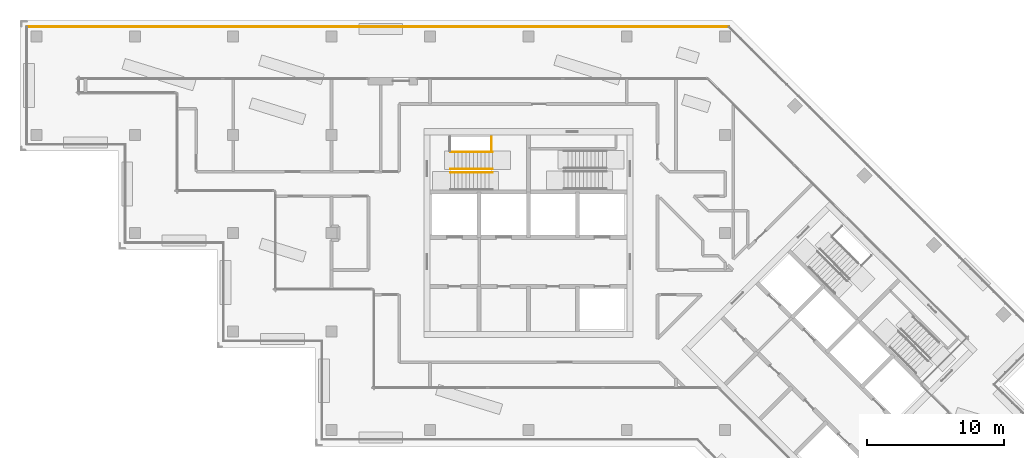
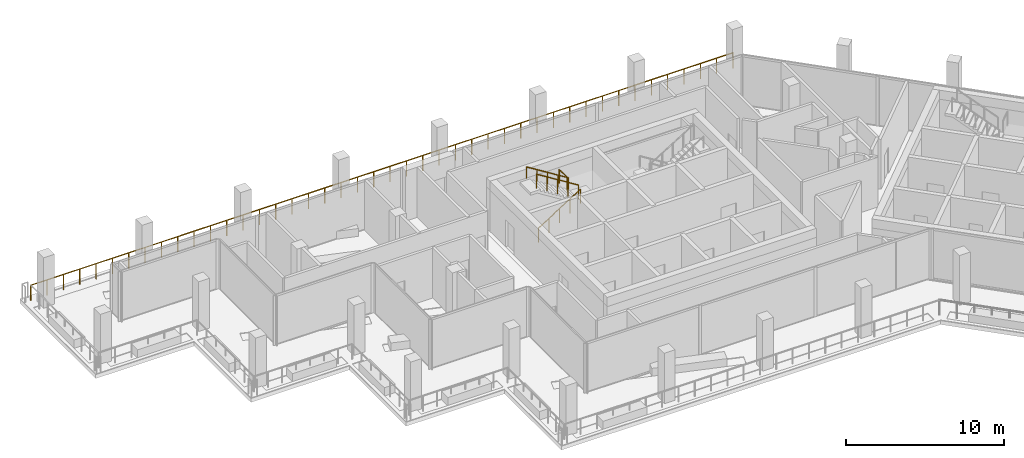
# One storey, part 18 of 20: 5 railings.
"""IFC4 building model written with IfcOpenShell, lengths in metres."""

from ifc_helpers import new_model, si_unit, direction, frame, origin, origin_2d, place, context, subcontext, project, spatial, circle, extrude, material, type_object, element, save


model = new_model("IFC4")

# Units and contexts
model_context = context("Model", 3, precision=1e-05, world=origin(), true_north=direction((0.0, 1.0)))
body_context = subcontext(model_context, "Body", "Model", "MODEL_VIEW")
ifc_project = project(units=[si_unit("LENGTHUNIT", "METRE"), si_unit("AREAUNIT", "SQUARE_METRE"), si_unit("VOLUMEUNIT", "CUBIC_METRE"), si_unit("PLANEANGLEUNIT", "RADIAN"), si_unit("MASSUNIT", "GRAM", prefix="KILO")], contexts=[model_context])

# Site, building, storey
site_placement = place(None, origin())
site = spatial("IfcSite", under=ifc_project, at=site_placement, CompositionType="ELEMENT")
building_placement = place(site_placement, origin())
building = spatial("IfcBuilding", under=site, at=building_placement, Name="Windrow Commons", CompositionType="ELEMENT")
storey_placement = place(building_placement, frame((0.0, 0.0, 239.6)))
storey = spatial("IfcBuildingStorey", under=building, at=storey_placement, Name="L65", CompositionType="ELEMENT", Elevation=239.6)

# Railings
ifc_material_1 = material(Name="Steel S355", Category="steel")
railing_type_1 = type_object("IfcRailingType", Name="Core stair guard 1100", PredefinedType="GUARDRAIL", material=ifc_material_1)
railing_1_placement = place(storey_placement, frame((59.1, 62.05, 0.175)))
element("IfcRailing", 1, at=railing_1_placement, inside=storey, type_object=railing_type_1, Name="L65 ST-A1 stair guard 1", PredefinedType="GUARDRAIL", context=body_context, shape_type="SweptSolid", body=[
    extrude(circle(Radius=0.024, at=origin_2d()), frame((0.0, 0.0, 1.076), z_axis=(0.847998304, 0.0, 0.52999894), x_axis=(0.0, 1.0, 0.0)), (0.0, 0.0, 1.0), 3.6321),
    extrude(circle(Radius=0.021, at=origin_2d()), origin(), (0.0, 0.0, 1.0), 1.052),
    extrude(circle(Radius=0.021, at=origin_2d()), frame((0.77, 0.0, 0.4812)), (0.0, 0.0, 1.0), 1.052),
    extrude(circle(Radius=0.021, at=origin_2d()), frame((1.54, 0.0, 0.9625)), (0.0, 0.0, 1.0), 1.052),
    extrude(circle(Radius=0.021, at=origin_2d()), frame((2.31, 0.0, 1.4437)), (0.0, 0.0, 1.0), 1.052),
    extrude(circle(Radius=0.021, at=origin_2d()), frame((3.08, 0.0, 1.925)), (0.0, 0.0, 1.0), 1.052),
])
railing_2_placement = place(storey_placement, frame((62.18, 62.3, 2.275)))
element("IfcRailing", 2, at=railing_2_placement, inside=storey, type_object=railing_type_1, Name="L65 ST-A1 stair guard 2", PredefinedType="GUARDRAIL", context=body_context, shape_type="SweptSolid", body=[
    extrude(circle(Radius=0.024, at=origin_2d()), frame((0.0, 0.0, 1.076), z_axis=(-0.847998304, 0.0, 0.52999894), x_axis=(0.0, -1.0, 0.0)), (0.0, 0.0, 1.0), 3.6321),
    extrude(circle(Radius=0.021, at=origin_2d()), origin(), (0.0, 0.0, 1.0), 1.052),
    extrude(circle(Radius=0.021, at=origin_2d()), frame((-0.77, 0.0, 0.4813)), (0.0, 0.0, 1.0), 1.052),
    extrude(circle(Radius=0.021, at=origin_2d()), frame((-1.54, 0.0, 0.9625)), (0.0, 0.0, 1.0), 1.052),
    extrude(circle(Radius=0.021, at=origin_2d()), frame((-2.31, 0.0, 1.4438)), (0.0, 0.0, 1.0), 1.052),
    extrude(circle(Radius=0.021, at=origin_2d()), frame((-3.08, 0.0, 1.925)), (0.0, 0.0, 1.0), 1.052),
])
railing_3_placement = place(storey_placement, frame((62.11, 63.6, 2.1)))
element("IfcRailing", 3, at=railing_3_placement, inside=storey, type_object=railing_type_1, Name="L65 ST-A1 stair guard 4", PredefinedType="GUARDRAIL", context=body_context, shape_type="SweptSolid", body=[
    extrude(circle(Radius=0.024, at=origin_2d()), frame((0.0, 0.0, 1.076), z_axis=(0.0, 1.0, 0.0), x_axis=(-1.0, 0.0, 0.0)), (0.0, 0.0, 1.0), 1.03),
    extrude(circle(Radius=0.021, at=origin_2d()), origin(), (0.0, 0.0, 1.0), 1.052),
    extrude(circle(Radius=0.021, at=origin_2d()), frame((0.0, 1.03, 0.0)), (0.0, 0.0, 1.0), 1.052),
])
ifc_material_2 = material(Name="Steel S355", Category="steel")
railing_type_2 = type_object("IfcRailingType", Name="Core stair handrail 900", PredefinedType="HANDRAIL", material=ifc_material_2)
railing_4_placement = place(storey_placement, frame((62.18, 63.55, 2.275)))
element("IfcRailing", 4, at=railing_4_placement, inside=storey, type_object=railing_type_2, Name="L65 ST-A1 stair handrail 2", PredefinedType="HANDRAIL", context=body_context, shape_type="SweptSolid", body=[
    extrude(circle(Radius=0.024, at=origin_2d()), frame((0.0, 0.0, 0.876), z_axis=(-0.847998304, 0.0, 0.52999894), x_axis=(0.0, -1.0, 0.0)), (0.0, 0.0, 1.0), 3.6321),
    extrude(circle(Radius=0.021, at=origin_2d()), origin(), (0.0, 0.0, 1.0), 0.852),
    extrude(circle(Radius=0.021, at=origin_2d()), frame((-0.77, 0.0, 0.4813)), (0.0, 0.0, 1.0), 0.852),
    extrude(circle(Radius=0.021, at=origin_2d()), frame((-1.54, 0.0, 0.9625)), (0.0, 0.0, 1.0), 0.852),
    extrude(circle(Radius=0.021, at=origin_2d()), frame((-2.31, 0.0, 1.4438)), (0.0, 0.0, 1.0), 0.852),
    extrude(circle(Radius=0.021, at=origin_2d()), frame((-3.08, 0.0, 1.925)), (0.0, 0.0, 1.0), 0.852),
])
ifc_material_3 = material(Name="Stainless steel S316 balustrade with toughened glass infill", Category="steel")
railing_type_3 = type_object("IfcRailingType", Name="Terrace guard 1200 podium", PredefinedType="BALUSTRADE", material=ifc_material_3)
railing_5_placement = place(storey_placement, frame((28.1, 72.7, 0.05)))
element("IfcRailing", 5, at=railing_5_placement, inside=storey, type_object=railing_type_3, Name="Guard TR-L65-1.E9", PredefinedType="BALUSTRADE", context=body_context, shape_type="SweptSolid", body=[
    extrude(circle(Radius=0.025, at=origin_2d()), frame((0.0, 0.0, 1.175), z_axis=(1.0, 0.0, 0.0), x_axis=(0.0, 1.0, 0.0)), (0.0, 0.0, 1.0), 51.39),
    extrude(circle(Radius=0.02, at=origin_2d()), origin(), (0.0, 0.0, 1.0), 1.15),
    extrude(circle(Radius=0.02, at=origin_2d()), frame((1.1951, 0.0, 0.0)), (0.0, 0.0, 1.0), 1.15),
    extrude(circle(Radius=0.02, at=origin_2d()), frame((2.3902, 0.0, 0.0)), (0.0, 0.0, 1.0), 1.15),
    extrude(circle(Radius=0.02, at=origin_2d()), frame((3.5853, 0.0, 0.0)), (0.0, 0.0, 1.0), 1.15),
    extrude(circle(Radius=0.02, at=origin_2d()), frame((4.7805, 0.0, 0.0)), (0.0, 0.0, 1.0), 1.15),
    extrude(circle(Radius=0.02, at=origin_2d()), frame((5.9756, 0.0, 0.0)), (0.0, 0.0, 1.0), 1.15),
    extrude(circle(Radius=0.02, at=origin_2d()), frame((7.1707, 0.0, 0.0)), (0.0, 0.0, 1.0), 1.15),
    extrude(circle(Radius=0.02, at=origin_2d()), frame((8.3658, 0.0, 0.0)), (0.0, 0.0, 1.0), 1.15),
    extrude(circle(Radius=0.02, at=origin_2d()), frame((9.5609, 0.0, 0.0)), (0.0, 0.0, 1.0), 1.15),
    extrude(circle(Radius=0.02, at=origin_2d()), frame((10.756, 0.0, 0.0)), (0.0, 0.0, 1.0), 1.15),
    extrude(circle(Radius=0.02, at=origin_2d()), frame((11.9512, 0.0, 0.0)), (0.0, 0.0, 1.0), 1.15),
    extrude(circle(Radius=0.02, at=origin_2d()), frame((13.1463, 0.0, 0.0)), (0.0, 0.0, 1.0), 1.15),
    extrude(circle(Radius=0.02, at=origin_2d()), frame((14.3414, 0.0, 0.0)), (0.0, 0.0, 1.0), 1.15),
    extrude(circle(Radius=0.02, at=origin_2d()), frame((15.5365, 0.0, 0.0)), (0.0, 0.0, 1.0), 1.15),
    extrude(circle(Radius=0.02, at=origin_2d()), frame((16.7316, 0.0, 0.0)), (0.0, 0.0, 1.0), 1.15),
    extrude(circle(Radius=0.02, at=origin_2d()), frame((17.9267, 0.0, 0.0)), (0.0, 0.0, 1.0), 1.15),
    extrude(circle(Radius=0.02, at=origin_2d()), frame((19.1219, 0.0, 0.0)), (0.0, 0.0, 1.0), 1.15),
    extrude(circle(Radius=0.02, at=origin_2d()), frame((20.317, 0.0, 0.0)), (0.0, 0.0, 1.0), 1.15),
    extrude(circle(Radius=0.02, at=origin_2d()), frame((21.5121, 0.0, 0.0)), (0.0, 0.0, 1.0), 1.15),
    extrude(circle(Radius=0.02, at=origin_2d()), frame((22.7072, 0.0, 0.0)), (0.0, 0.0, 1.0), 1.15),
    extrude(circle(Radius=0.02, at=origin_2d()), frame((23.9023, 0.0, 0.0)), (0.0, 0.0, 1.0), 1.15),
    extrude(circle(Radius=0.02, at=origin_2d()), frame((25.0974, 0.0, 0.0)), (0.0, 0.0, 1.0), 1.15),
    extrude(circle(Radius=0.02, at=origin_2d()), frame((26.2926, 0.0, 0.0)), (0.0, 0.0, 1.0), 1.15),
    extrude(circle(Radius=0.02, at=origin_2d()), frame((27.4877, 0.0, 0.0)), (0.0, 0.0, 1.0), 1.15),
    extrude(circle(Radius=0.02, at=origin_2d()), frame((28.6828, 0.0, 0.0)), (0.0, 0.0, 1.0), 1.15),
    extrude(circle(Radius=0.02, at=origin_2d()), frame((29.8779, 0.0, 0.0)), (0.0, 0.0, 1.0), 1.15),
    extrude(circle(Radius=0.02, at=origin_2d()), frame((31.073, 0.0, 0.0)), (0.0, 0.0, 1.0), 1.15),
    extrude(circle(Radius=0.02, at=origin_2d()), frame((32.2681, 0.0, 0.0)), (0.0, 0.0, 1.0), 1.15),
    extrude(circle(Radius=0.02, at=origin_2d()), frame((33.4633, 0.0, 0.0)), (0.0, 0.0, 1.0), 1.15),
    extrude(circle(Radius=0.02, at=origin_2d()), frame((34.6584, 0.0, 0.0)), (0.0, 0.0, 1.0), 1.15),
    extrude(circle(Radius=0.02, at=origin_2d()), frame((35.8535, 0.0, 0.0)), (0.0, 0.0, 1.0), 1.15),
    extrude(circle(Radius=0.02, at=origin_2d()), frame((37.0486, 0.0, 0.0)), (0.0, 0.0, 1.0), 1.15),
    extrude(circle(Radius=0.02, at=origin_2d()), frame((38.2437, 0.0, 0.0)), (0.0, 0.0, 1.0), 1.15),
    extrude(circle(Radius=0.02, at=origin_2d()), frame((39.4388, 0.0, 0.0)), (0.0, 0.0, 1.0), 1.15),
    extrude(circle(Radius=0.02, at=origin_2d()), frame((40.634, 0.0, 0.0)), (0.0, 0.0, 1.0), 1.15),
    extrude(circle(Radius=0.02, at=origin_2d()), frame((41.8291, 0.0, 0.0)), (0.0, 0.0, 1.0), 1.15),
    extrude(circle(Radius=0.02, at=origin_2d()), frame((43.0242, 0.0, 0.0)), (0.0, 0.0, 1.0), 1.15),
    extrude(circle(Radius=0.02, at=origin_2d()), frame((44.2193, 0.0, 0.0)), (0.0, 0.0, 1.0), 1.15),
    extrude(circle(Radius=0.02, at=origin_2d()), frame((45.4144, 0.0, 0.0)), (0.0, 0.0, 1.0), 1.15),
    extrude(circle(Radius=0.02, at=origin_2d()), frame((46.6095, 0.0, 0.0)), (0.0, 0.0, 1.0), 1.15),
    extrude(circle(Radius=0.02, at=origin_2d()), frame((47.8047, 0.0, 0.0)), (0.0, 0.0, 1.0), 1.15),
    extrude(circle(Radius=0.02, at=origin_2d()), frame((48.9998, 0.0, 0.0)), (0.0, 0.0, 1.0), 1.15),
    extrude(circle(Radius=0.02, at=origin_2d()), frame((50.1949, 0.0, 0.0)), (0.0, 0.0, 1.0), 1.15),
    extrude(circle(Radius=0.02, at=origin_2d()), frame((51.39, 0.0, 0.0)), (0.0, 0.0, 1.0), 1.15),
])

save(model, "model.ifc")
